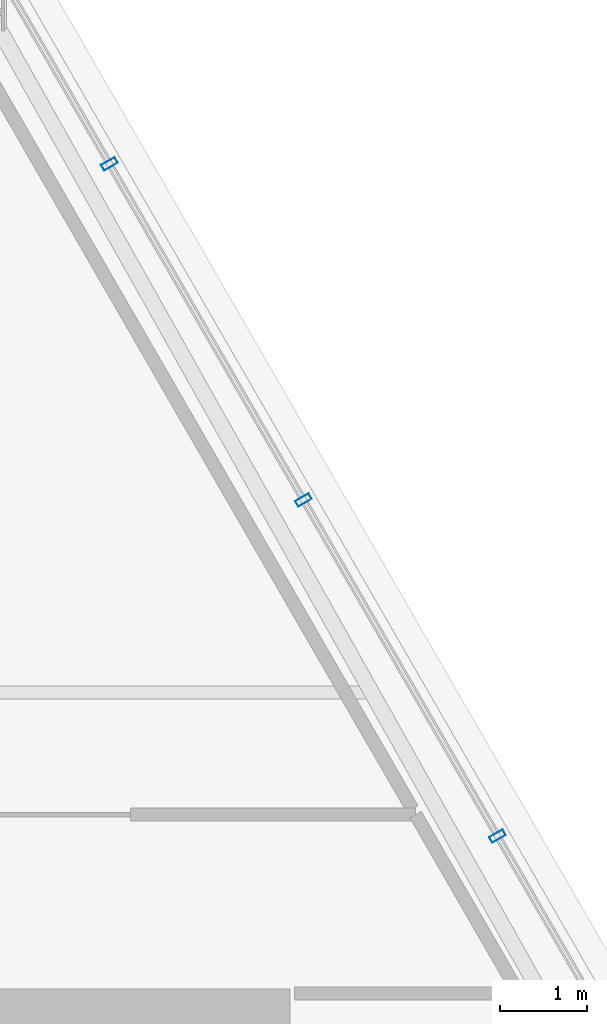
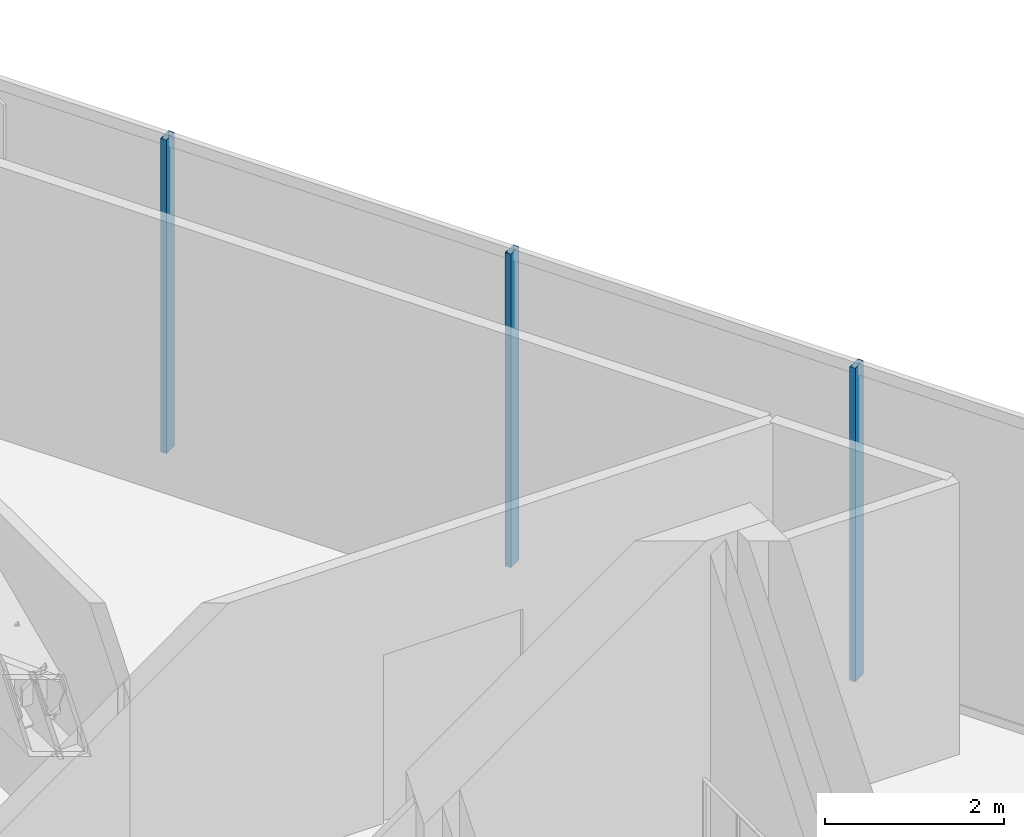
# One storey, part 23 of 32: 3 members, 1 element without a shape of its own.
"""IFC4 building model written with IfcOpenShell, lengths in metres."""

from ifc_helpers import new_model, si_unit, direction, frame, origin, origin_2d, place, context, subcontext, project, spatial, hollow_rectangle, extrude, material, layer, layer_set, material_profile, profile_set, type_object, element, aggregate, save


model = new_model("IFC4")

# Units and contexts
model_context = context("Model", 3, precision=1e-05, world=origin(), true_north=direction((0.0, 1.0)))
body_context = subcontext(model_context, "Body", "Model", "MODEL_VIEW")
ifc_project = project(units=[si_unit("LENGTHUNIT", "METRE"), si_unit("AREAUNIT", "SQUARE_METRE"), si_unit("VOLUMEUNIT", "CUBIC_METRE"), si_unit("PLANEANGLEUNIT", "RADIAN"), si_unit("MASSUNIT", "GRAM", prefix="KILO")], contexts=[model_context])

# Site, building, storey
site_placement = place(None, origin())
site = spatial("IfcSite", under=ifc_project, at=site_placement, CompositionType="ELEMENT")
building_placement = place(site_placement, origin())
building = spatial("IfcBuilding", under=site, at=building_placement, Name="Ndaravel Arena Tower", CompositionType="ELEMENT")
storey_placement = place(building_placement, frame((0.0, 0.0, 278.800048828125)))
storey = spatial("IfcBuildingStorey", under=building, at=storey_placement, Name="L68", CompositionType="ELEMENT", Elevation=278.800048828125)

# Curtain wall, members
ifc_material_1 = material(Name="Aluminium", Category="aluminium")
ifc_layer = layer(ifc_material_1, 0.179931640625)
ifc_layer_set = layer_set([ifc_layer], Name="Aluminium")
curtain_wall_type = type_object("IfcCurtainWallType", Name="CW-SYS-03", PredefinedType="NOTDEFINED", material=ifc_layer_set)
curtain_wall_placement = place(storey_placement, origin())
curtain_wall = element("IfcCurtainWall", 1, at=curtain_wall_placement, inside=storey, type_object=curtain_wall_type, Name="L68 Faceted Crystal Curtain Wall CW-L68-E03", PredefinedType="NOTDEFINED")
ifc_material_2 = material(Name="Aluminium", Category="aluminium")
ifc_material_profile = material_profile(ifc_material_2, hollow_rectangle(XDim=0.074951171875, YDim=0.179931640625, WallThickness=0.00390625, at=origin_2d()), Name="CW MULLION 75x180x4")
ifc_profile_set = profile_set([ifc_material_profile], Name="Aluminium")
member_type = type_object("IfcMemberType", Name="MEM-CW-MUL180", PredefinedType="MULLION", material=ifc_profile_set)
member_1_placement = place(storey_placement, frame((59.9267578125, 16.9541015625, 0.0), z_axis=(0.0, 0.0, 1.0), x_axis=(-0.5, 0.866025403784, 0.0)))
member_1 = element("IfcMember", 2, at=member_1_placement, type_object=member_type, Name="CW-L68-E03 Mullion 02", PredefinedType="MULLION", context=body_context, shape_type="SweptSolid", body=[
    extrude(hollow_rectangle(XDim=0.074951171875, YDim=0.179931640625, WallThickness=0.00390625, at=origin_2d()), origin(), (0.0, 0.0, 1.0), 4.280029296875),
])
member_2_placement = place(storey_placement, frame((57.703369140625, 20.805419921875, 0.0), z_axis=(0.0, 0.0, 1.0), x_axis=(-0.5, 0.866025403784, 0.0)))
member_2 = element("IfcMember", 3, at=member_2_placement, type_object=member_type, Name="CW-L68-E03 Mullion 03", PredefinedType="MULLION", context=body_context, shape_type="SweptSolid", body=[
    extrude(hollow_rectangle(XDim=0.074951171875, YDim=0.179931640625, WallThickness=0.00390625, at=origin_2d()), origin(), (0.0, 0.0, 1.0), 4.280029296875),
])
member_3_placement = place(storey_placement, frame((55.479736328125, 24.656494140625, 0.0), z_axis=(0.0, 0.0, 1.0), x_axis=(-0.5, 0.866025403784, 0.0)))
member_3 = element("IfcMember", 4, at=member_3_placement, type_object=member_type, Name="CW-L68-E03 Mullion 04", PredefinedType="MULLION", context=body_context, shape_type="SweptSolid", body=[
    extrude(hollow_rectangle(XDim=0.074951171875, YDim=0.179931640625, WallThickness=0.00390625, at=origin_2d()), origin(), (0.0, 0.0, 1.0), 4.280029296875),
])
aggregate(curtain_wall, [member_1, member_2, member_3])

save(model, "model.ifc")
